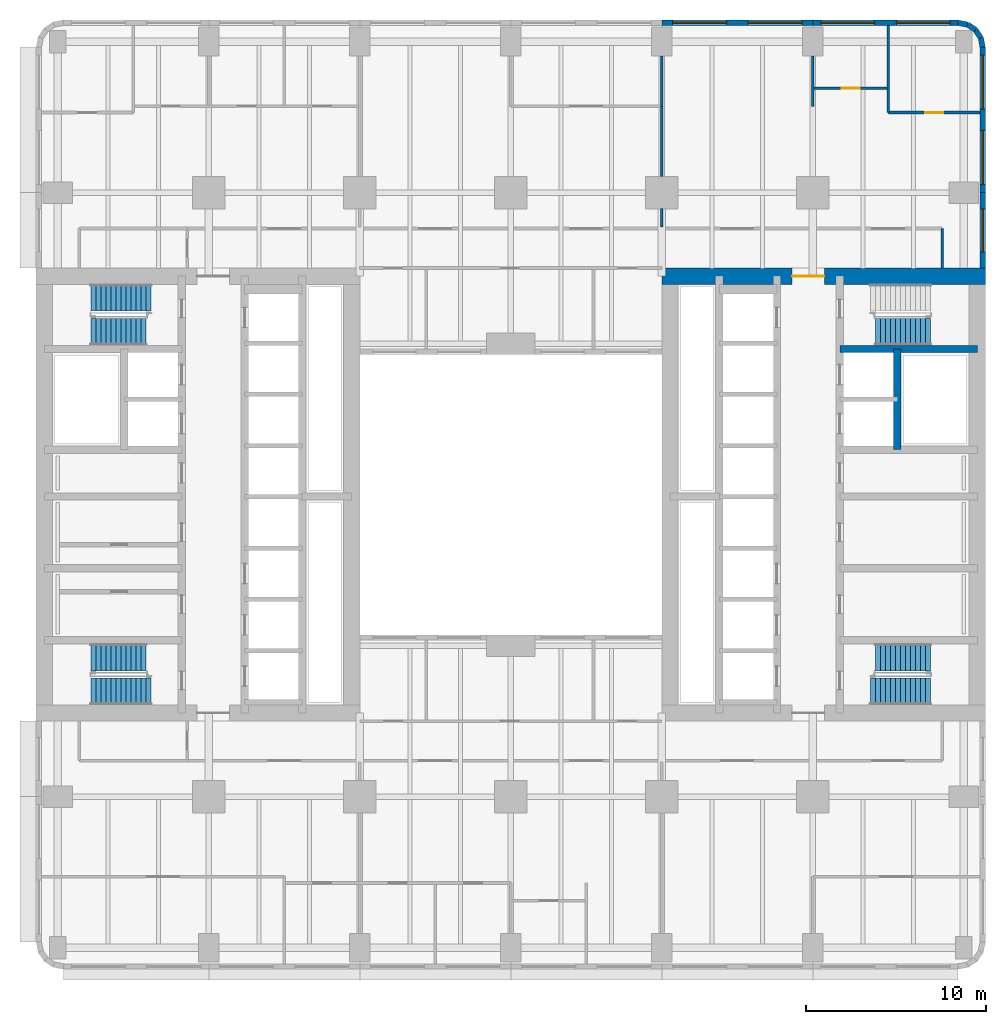
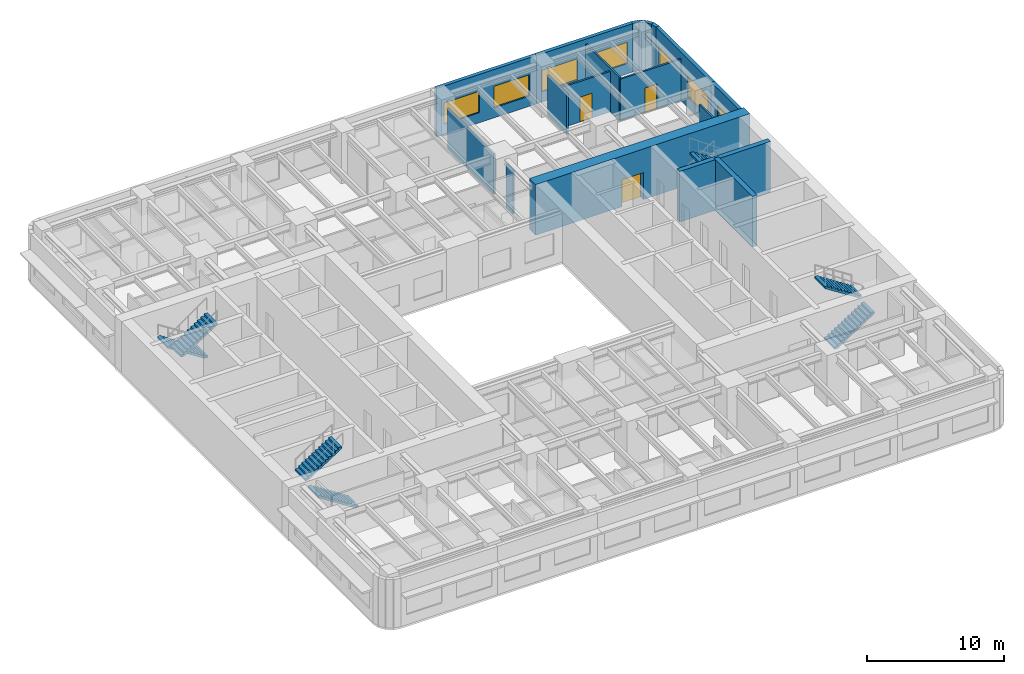
# One storey, part 8 of 13: 19 walls, 7 stair flights, 7 windows, 3 doors, 10 openings, 4 elements without a shape of their own.
"""IFC4 building model written with IfcOpenShell, lengths in metres."""

from ifc_helpers import new_model, si_unit, direction, frame, frame_2d, origin, place, context, subcontext, project, spatial, polyline, rectangle, outline, extrude, material, layer, layer_set, type_object, element, fill, aggregate, save


model = new_model("IFC4")

# Units and contexts
model_context = context("Model", 3, precision=1e-05, world=origin(), true_north=direction((0.0, 1.0)))
body_context = subcontext(model_context, "Body", "Model", "MODEL_VIEW")
ifc_project = project(units=[si_unit("LENGTHUNIT", "METRE"), si_unit("AREAUNIT", "SQUARE_METRE"), si_unit("VOLUMEUNIT", "CUBIC_METRE"), si_unit("PLANEANGLEUNIT", "RADIAN"), si_unit("MASSUNIT", "GRAM", prefix="KILO")], contexts=[model_context])

# Site, building, storey
site_placement = place(None, origin())
site = spatial("IfcSite", under=ifc_project, at=site_placement, CompositionType="ELEMENT")
building_placement = place(site_placement, origin())
building = spatial("IfcBuilding", under=site, at=building_placement, Name="Claustro Exchange Tower", CompositionType="ELEMENT")
storey_placement = place(building_placement, frame((0.0, 0.0, 86.39990234375)))
storey = spatial("IfcBuildingStorey", under=building, at=storey_placement, Name="L19", CompositionType="ELEMENT", Elevation=86.39990234375)

# Wall
ifc_material_1 = material(Name="Gypsum board on steel studs", Category="steel")
ifc_layer_1 = layer(ifc_material_1, 0.14990234375)
ifc_layer_set_1 = layer_set([ifc_layer_1], Name="Gypsum board on steel studs")
wall_type_1 = type_object("IfcWallType", Name="P1 150 plasterboard partition", PredefinedType="PARTITIONING", material=ifc_layer_set_1)
wall_1_placement = place(storey_placement, frame((33.60009765625, 46.798095703125, 0.0), z_axis=(0.0, 0.0, 1.0), x_axis=(0.0, 1.0, 0.0)))
element("IfcWall", 1, at=wall_1_placement, inside=storey, type_object=wall_type_1, Name="Partition P1 L19", PredefinedType="PARTITIONING", context=body_context, shape_type="SweptSolid", body=[
    extrude(rectangle(XDim=2.802978515625, YDim=0.14990234375, at=frame_2d((1.4013671875, 0.0))), origin(), (0.0, 0.0, 1.0), 3.60009765625),
])

# Wall, opening, door
wall_2_placement = place(storey_placement, frame((42.073974609375, 47.800048828125, 0.0), z_axis=(0.0, 0.0, 1.0), x_axis=(1.0, 0.0, 0.0)))
wall_2 = element("IfcWall", 2, at=wall_2_placement, inside=storey, type_object=wall_type_1, Name="Partition P1 L19", PredefinedType="PARTITIONING", context=body_context, shape_type="SweptSolid", body=[
    extrude(rectangle(XDim=4.052001953125, YDim=0.14990234375, at=frame_2d((2.02587890625, 0.0))), origin(), (0.0, 0.0, 1.0), 3.60009765625),
])
opening_1_placement = place(wall_2_placement, frame((1.52587890625, 0.0, 0.0)))
opening_1 = element("IfcOpeningElement", 3, at=opening_1_placement, cuts=wall_2, Name="Opening D1", PredefinedType="OPENING", context=body_context, shape_type="SweptSolid", body=[
    extrude(rectangle(XDim=1.0, YDim=2.199951171875, at=frame_2d((0.5, 1.10009765625))), frame((0.0, 0.0849609375, 0.0), z_axis=(0.0, -1.0, 0.0), x_axis=(1.0, 0.0, 0.0)), (0.0, 0.0, 1.0), 0.169921875),
])
ifc_material_2 = material(Name="Timber door, oak veneer", Category="wood")
door_type_1 = type_object("IfcDoorType", Name="D1 1000 x 2200 single door", OperationType="SINGLE_SWING_LEFT", PredefinedType="DOOR", material=ifc_material_2)
door_1_placement = place(opening_1_placement, origin())
door_1 = element("IfcDoor", 4, at=door_1_placement, inside=storey, type_object=door_type_1, Name="Door D1 L19", OperationType="SINGLE_SWING_LEFT", OverallHeight=2.199951171875, OverallWidth=1.0, PredefinedType="DOOR", context=body_context, shape_type="SweptSolid", body=[
    extrude(rectangle(XDim=1.0, YDim=2.199951171875, at=frame_2d((0.5, 1.10009765625))), frame((0.0, 0.02490234375, 0.0), z_axis=(0.0, -1.0, 0.0), x_axis=(1.0, 0.0, 0.0)), (0.0, 0.0, 1.0), 0.050048828125),
])
fill(opening_1, door_1)

wall_3_placement = place(storey_placement, frame((46.199951171875, 46.449951171875, 0.0), z_axis=(0.0, 0.0, 1.0), x_axis=(1.0, 0.0, 0.0)))
wall_3 = element("IfcWall", 5, at=wall_3_placement, inside=storey, type_object=wall_type_1, Name="Partition P1 L19", PredefinedType="PARTITIONING", context=body_context, shape_type="SweptSolid", body=[
    extrude(rectangle(XDim=5.10205078125, YDim=0.14990234375, at=frame_2d((2.551025390625, 0.0))), origin(), (0.0, 0.0, 1.0), 3.7001953125),
])
opening_2_placement = place(wall_3_placement, frame((2.050048828125, 0.0, 0.0)))
opening_2 = element("IfcOpeningElement", 6, at=opening_2_placement, cuts=wall_3, Name="Opening D1", PredefinedType="OPENING", context=body_context, shape_type="SweptSolid", body=[
    extrude(rectangle(XDim=1.0, YDim=2.199951171875, at=frame_2d((0.5, 1.10009765625))), frame((0.0, 0.0849609375, 0.0), z_axis=(0.0, -1.0, 0.0), x_axis=(1.0, 0.0, 0.0)), (0.0, 0.0, 1.0), 0.169921875),
])
door_2_placement = place(opening_2_placement, origin())
door_2 = element("IfcDoor", 7, at=door_2_placement, inside=storey, type_object=door_type_1, Name="Door D1 L19", OperationType="SINGLE_SWING_LEFT", OverallHeight=2.199951171875, OverallWidth=1.0, PredefinedType="DOOR", context=body_context, shape_type="SweptSolid", body=[
    extrude(rectangle(XDim=1.0, YDim=2.199951171875, at=frame_2d((0.5, 1.10009765625))), frame((0.0, 0.02490234375, 0.0), z_axis=(0.0, -1.0, 0.0), x_axis=(1.0, 0.0, 0.0)), (0.0, 0.0, 1.0), 0.050048828125),
])
fill(opening_2, door_2)

# Walls
wall_4_placement = place(storey_placement, frame((42.0, 46.800048828125, 0.0), z_axis=(0.0, 0.0, 1.0), x_axis=(0.0, 1.0, 0.0)))
element("IfcWall", 8, at=wall_4_placement, inside=storey, type_object=wall_type_1, Name="Partition P1 L19", PredefinedType="PARTITIONING", context=body_context, shape_type="SweptSolid", body=[
    extrude(rectangle(XDim=2.801025390625, YDim=0.14990234375, at=frame_2d((1.400390625, 0.0))), origin(), (0.0, 0.0, 1.0), 3.60009765625),
])
wall_5_placement = place(storey_placement, frame((46.199951171875, 46.449951171875, 0.0), z_axis=(0.0, 0.0, 1.0), x_axis=(0.0, 1.0, 0.0)))
element("IfcWall", 9, at=wall_5_placement, inside=storey, type_object=wall_type_1, Name="Partition P1 L19", PredefinedType="PARTITIONING", context=body_context, shape_type="SweptSolid", body=[
    extrude(rectangle(XDim=4.85205078125, YDim=0.14990234375, at=frame_2d((2.426025390625, 0.0))), origin(), (0.0, 0.0, 1.0), 3.85400390625),
])
wall_6_placement = place(storey_placement, frame((33.60009765625, 40.073974609375, 0.0), z_axis=(0.0, 0.0, 1.0), x_axis=(0.0, 1.0, 0.0)))
element("IfcWall", 10, at=wall_6_placement, inside=storey, type_object=wall_type_1, Name="Partition P1 L19", PredefinedType="PARTITIONING", context=body_context, shape_type="SweptSolid", body=[
    extrude(rectangle(XDim=1.027099609375, YDim=0.14990234375, at=frame_2d((0.513671875, 0.0))), origin(), (0.0, 0.0, 1.0), 3.80419921875),
])
wall_7_placement = place(storey_placement, frame((33.60009765625, 42.89892578125, 0.0), z_axis=(0.0, 0.0, 1.0), x_axis=(0.0, 1.0, 0.0)))
element("IfcWall", 11, at=wall_7_placement, inside=storey, type_object=wall_type_1, Name="Partition P1 L19", PredefinedType="PARTITIONING", context=body_context, shape_type="SweptSolid", body=[
    extrude(rectangle(XDim=3.903076171875, YDim=0.14990234375, at=frame_2d((1.95166015625, 0.0))), origin(), (0.0, 0.0, 1.0), 3.60009765625),
])
wall_8_placement = place(storey_placement, frame((49.199951171875, 37.800048828125, 0.0), z_axis=(0.0, 0.0, 1.0), x_axis=(0.0, 1.0, 0.0)))
element("IfcWall", 12, at=wall_8_placement, inside=storey, type_object=wall_type_1, Name="Partition P1 L19", PredefinedType="PARTITIONING", context=body_context, shape_type="SweptSolid", body=[
    extrude(rectangle(XDim=2.199951171875, YDim=0.14990234375, at=frame_2d((1.10009765625, 0.0))), origin(), (0.0, 0.0, 1.0), 4.300048828125),
])

# Wall, openings, windows
ifc_material_3 = material(Name="Concrete HA-40 (C40/50), precast, white cement, acid-etched", Category="concrete")
ifc_layer_2 = layer(ifc_material_3, 0.300048828125)
ifc_layer_set_2 = layer_set([ifc_layer_2], Name="Concrete HA-40 (C40/50), precast, white cement, acid-etched")
wall_type_2 = type_object("IfcWallType", Name="PC1 300 precast concrete pier panel", PredefinedType="SOLIDWALL", material=ifc_layer_set_2)
wall_9_placement = place(storey_placement, frame((33.60009765625, 51.449951171875, 0.0), z_axis=(0.0, 0.0, 1.0), x_axis=(1.0, 0.0, 0.0)))
wall_9 = element("IfcWall", 13, at=wall_9_placement, inside=storey, type_object=wall_type_2, Name="Precast pier panel PC1 L19", PredefinedType="SOLIDWALL", context=body_context, shape_type="SweptSolid", body=[
    extrude(rectangle(XDim=8.39990234375, YDim=0.300048828125, at=frame_2d((4.199951171875, 0.0))), origin(), (0.0, 0.0, 1.0), 4.300048828125),
])
opening_3_placement = place(wall_9_placement, frame((0.60009765625, 0.0, 0.89990234375)))
opening_3 = element("IfcOpeningElement", 14, at=opening_3_placement, cuts=wall_9, Name="Opening W1", PredefinedType="OPENING", context=body_context, shape_type="SweptSolid", body=[
    extrude(rectangle(XDim=3.0, YDim=1.89990234375, at=frame_2d((1.5, 0.949951171875))), frame((0.0, 0.159912109375, 0.0), z_axis=(0.0, -1.0, 0.0), x_axis=(1.0, 0.0, 0.0)), (0.0, 0.0, 1.0), 0.320068359375),
])
opening_4_placement = place(wall_9_placement, frame((4.800048828125, 0.0, 0.89990234375)))
opening_4 = element("IfcOpeningElement", 15, at=opening_4_placement, cuts=wall_9, Name="Opening W1", PredefinedType="OPENING", context=body_context, shape_type="SweptSolid", body=[
    extrude(rectangle(XDim=3.0, YDim=1.89990234375, at=frame_2d((1.5, 0.949951171875))), frame((0.0, 0.159912109375, 0.0), z_axis=(0.0, -1.0, 0.0), x_axis=(1.0, 0.0, 0.0)), (0.0, 0.0, 1.0), 0.320068359375),
])
ifc_material_4 = material(Name="Aluminium frame, clear double glazing", Category="aluminium")
window_type_1 = type_object("IfcWindowType", Name="W1 3000 x 1900 window", PartitioningType="SINGLE_PANEL", PredefinedType="WINDOW", material=ifc_material_4)
window_1_placement = place(opening_3_placement, origin())
window_1 = element("IfcWindow", 16, at=window_1_placement, inside=storey, type_object=window_type_1, Name="Window W1 L19", OverallHeight=1.89990234375, OverallWidth=3.0, PartitioningType="SINGLE_PANEL", PredefinedType="WINDOW", context=body_context, shape_type="SweptSolid", body=[
    extrude(rectangle(XDim=3.0, YDim=1.89990234375, at=frame_2d((1.5, 0.949951171875))), frame((0.0, 0.030029296875, 0.0), z_axis=(0.0, -1.0, 0.0), x_axis=(1.0, 0.0, 0.0)), (0.0, 0.0, 1.0), 0.06005859375),
])
fill(opening_3, window_1)
window_2_placement = place(opening_4_placement, origin())
window_2 = element("IfcWindow", 17, at=window_2_placement, inside=storey, type_object=window_type_1, Name="Window W1 L19", OverallHeight=1.89990234375, OverallWidth=3.0, PartitioningType="SINGLE_PANEL", PredefinedType="WINDOW", context=body_context, shape_type="SweptSolid", body=[
    extrude(rectangle(XDim=3.0, YDim=1.89990234375, at=frame_2d((1.5, 0.949951171875))), frame((0.0, 0.030029296875, 0.0), z_axis=(0.0, -1.0, 0.0), x_axis=(1.0, 0.0, 0.0)), (0.0, 0.0, 1.0), 0.06005859375),
])
fill(opening_4, window_2)

wall_10_placement = place(storey_placement, frame((42.0, 51.449951171875, 0.0), z_axis=(0.0, 0.0, 1.0), x_axis=(1.0, 0.0, 0.0)))
wall_10 = element("IfcWall", 18, at=wall_10_placement, inside=storey, type_object=wall_type_2, Name="Precast pier panel PC1 L19", PredefinedType="SOLIDWALL", context=body_context, shape_type="SweptSolid", body=[
    extrude(rectangle(XDim=8.085205078125, YDim=0.300048828125, at=frame_2d((4.04248046875, 0.0))), origin(), (0.0, 0.0, 1.0), 4.300048828125),
])
opening_5_placement = place(wall_10_placement, frame((0.442626953125, 0.0, 0.89990234375)))
opening_5 = element("IfcOpeningElement", 19, at=opening_5_placement, cuts=wall_10, Name="Opening W1", PredefinedType="OPENING", context=body_context, shape_type="SweptSolid", body=[
    extrude(rectangle(XDim=3.0, YDim=1.89990234375, at=frame_2d((1.5, 0.949951171875))), frame((0.0, 0.159912109375, 0.0), z_axis=(0.0, -1.0, 0.0), x_axis=(1.0, 0.0, 0.0)), (0.0, 0.0, 1.0), 0.320068359375),
])
opening_6_placement = place(wall_10_placement, frame((4.642578125, 0.0, 0.89990234375)))
opening_6 = element("IfcOpeningElement", 20, at=opening_6_placement, cuts=wall_10, Name="Opening W1", PredefinedType="OPENING", context=body_context, shape_type="SweptSolid", body=[
    extrude(rectangle(XDim=3.0, YDim=1.89990234375, at=frame_2d((1.5, 0.949951171875))), frame((0.0, 0.159912109375, 0.0), z_axis=(0.0, -1.0, 0.0), x_axis=(1.0, 0.0, 0.0)), (0.0, 0.0, 1.0), 0.320068359375),
])
window_3_placement = place(opening_5_placement, origin())
window_3 = element("IfcWindow", 21, at=window_3_placement, inside=storey, type_object=window_type_1, Name="Window W1 L19", OverallHeight=1.89990234375, OverallWidth=3.0, PartitioningType="SINGLE_PANEL", PredefinedType="WINDOW", context=body_context, shape_type="SweptSolid", body=[
    extrude(rectangle(XDim=3.0, YDim=1.89990234375, at=frame_2d((1.5, 0.949951171875))), frame((0.0, 0.030029296875, 0.0), z_axis=(0.0, -1.0, 0.0), x_axis=(1.0, 0.0, 0.0)), (0.0, 0.0, 1.0), 0.06005859375),
])
fill(opening_5, window_3)
window_4_placement = place(opening_6_placement, origin())
window_4 = element("IfcWindow", 22, at=window_4_placement, inside=storey, type_object=window_type_1, Name="Window W1 L19", OverallHeight=1.89990234375, OverallWidth=3.0, PartitioningType="SINGLE_PANEL", PredefinedType="WINDOW", context=body_context, shape_type="SweptSolid", body=[
    extrude(rectangle(XDim=3.0, YDim=1.89990234375, at=frame_2d((1.5, 0.949951171875))), frame((0.0, 0.030029296875, 0.0), z_axis=(0.0, -1.0, 0.0), x_axis=(1.0, 0.0, 0.0)), (0.0, 0.0, 1.0), 0.06005859375),
])
fill(opening_6, window_4)

# Walls
wall_11_placement = place(storey_placement, frame((50.085205078125, 51.449951171875, 0.0), z_axis=(0.0, 0.0, 1.0), x_axis=(0.980788534345, -0.195073962632, 0.0)))
element("IfcWall", 23, at=wall_11_placement, inside=storey, type_object=wall_type_2, Name="Precast pier panel PC1 L19", PredefinedType="SOLIDWALL", context=body_context, shape_type="SweptSolid", body=[
    extrude(rectangle(XDim=0.540771484375, YDim=0.300048828125, at=frame_2d((0.2705078125, 0.0))), origin(), (0.0, 0.0, 1.0), 4.300048828125),
])
for number, where, z_axis, x_axis, name in (
    (24, (50.615478515625, 51.344482421875, 0.0), (0.0, 0.0, 1.0), (0.831478144188, -0.555557463938, 0.0), "Precast pier panel PC1 L19"),
    (25, (51.052490234375, 51.052490234375, 0.0), (0.0, 0.0, 1.0), (0.555557463938, -0.831478144188, 0.0), "Precast pier panel PC1 L19"),
):
    element("IfcWall", number, at=place(storey_placement, frame(where, z_axis=z_axis, x_axis=x_axis)), inside=storey, type_object=wall_type_2, Name=name, PredefinedType="SOLIDWALL", context=body_context, shape_type="SweptSolid", body=[
        extrude(rectangle(XDim=0.525634765625, YDim=0.300048828125, at=frame_2d((0.2626953125, 0.0))), origin(), (0.0, 0.0, 1.0), 4.300048828125),
    ])
wall_12_placement = place(storey_placement, frame((51.344482421875, 50.615478515625, 0.0), z_axis=(0.0, 0.0, 1.0), x_axis=(0.195073962632, -0.980788534345, 0.0)))
element("IfcWall", 26, at=wall_12_placement, inside=storey, type_object=wall_type_2, Name="Precast pier panel PC1 L19", PredefinedType="SOLIDWALL", context=body_context, shape_type="SweptSolid", body=[
    extrude(rectangle(XDim=0.540771484375, YDim=0.300048828125, at=frame_2d((0.2705078125, 0.0))), origin(), (0.0, 0.0, 1.0), 4.300048828125),
])

# Wall, openings, windows
wall_13_placement = place(storey_placement, frame((51.449951171875, 50.085205078125, 0.0), z_axis=(0.0, 0.0, 1.0), x_axis=(0.0, -1.0, 0.0)))
wall_13 = element("IfcWall", 27, at=wall_13_placement, inside=storey, type_object=wall_type_2, Name="Precast pier panel PC1 L19", PredefinedType="SOLIDWALL", context=body_context, shape_type="SweptSolid", body=[
    extrude(rectangle(XDim=8.085205078125, YDim=0.300048828125, at=frame_2d((4.04248046875, 0.0))), origin(), (0.0, 0.0, 1.0), 4.300048828125),
])
opening_7_placement = place(wall_13_placement, frame((0.442626953125, 0.0, 0.89990234375)))
opening_7 = element("IfcOpeningElement", 28, at=opening_7_placement, cuts=wall_13, Name="Opening W1", PredefinedType="OPENING", context=body_context, shape_type="SweptSolid", body=[
    extrude(rectangle(XDim=3.0, YDim=1.89990234375, at=frame_2d((1.5, 0.949951171875))), frame((0.0, 0.159912109375, 0.0), z_axis=(0.0, -1.0, 0.0), x_axis=(1.0, 0.0, 0.0)), (0.0, 0.0, 1.0), 0.320068359375),
])
opening_8_placement = place(wall_13_placement, frame((4.642578125, 0.0, 0.89990234375)))
opening_8 = element("IfcOpeningElement", 29, at=opening_8_placement, cuts=wall_13, Name="Opening W1", PredefinedType="OPENING", context=body_context, shape_type="SweptSolid", body=[
    extrude(rectangle(XDim=3.0, YDim=1.89990234375, at=frame_2d((1.5, 0.949951171875))), frame((0.0, 0.159912109375, 0.0), z_axis=(0.0, -1.0, 0.0), x_axis=(1.0, 0.0, 0.0)), (0.0, 0.0, 1.0), 0.320068359375),
])
window_5_placement = place(opening_7_placement, origin())
window_5 = element("IfcWindow", 30, at=window_5_placement, inside=storey, type_object=window_type_1, Name="Window W1 L19", OverallHeight=1.89990234375, OverallWidth=3.0, PartitioningType="SINGLE_PANEL", PredefinedType="WINDOW", context=body_context, shape_type="SweptSolid", body=[
    extrude(rectangle(XDim=3.0, YDim=1.89990234375, at=frame_2d((1.5, 0.949951171875))), frame((0.0, 0.030029296875, 0.0), z_axis=(0.0, -1.0, 0.0), x_axis=(1.0, 0.0, 0.0)), (0.0, 0.0, 1.0), 0.06005859375),
])
fill(opening_7, window_5)
window_6_placement = place(opening_8_placement, origin())
window_6 = element("IfcWindow", 31, at=window_6_placement, inside=storey, type_object=window_type_1, Name="Window W1 L19", OverallHeight=1.89990234375, OverallWidth=3.0, PartitioningType="SINGLE_PANEL", PredefinedType="WINDOW", context=body_context, shape_type="SweptSolid", body=[
    extrude(rectangle(XDim=3.0, YDim=1.89990234375, at=frame_2d((1.5, 0.949951171875))), frame((0.0, 0.030029296875, 0.0), z_axis=(0.0, -1.0, 0.0), x_axis=(1.0, 0.0, 0.0)), (0.0, 0.0, 1.0), 0.06005859375),
])
fill(opening_8, window_6)

# Wall, opening, window
wall_14_placement = place(storey_placement, frame((51.449951171875, 42.0, 0.0), z_axis=(0.0, 0.0, 1.0), x_axis=(0.0, -1.0, 0.0)))
wall_14 = element("IfcWall", 32, at=wall_14_placement, inside=storey, type_object=wall_type_2, Name="Precast pier panel PC1 L19", PredefinedType="SOLIDWALL", context=body_context, shape_type="SweptSolid", body=[
    extrude(rectangle(XDim=4.199951171875, YDim=0.300048828125, at=frame_2d((2.10009765625, 0.0))), origin(), (0.0, 0.0, 1.0), 4.300048828125),
])
opening_9_placement = place(wall_14_placement, frame((0.89990234375, 0.0, 0.89990234375)))
opening_9 = element("IfcOpeningElement", 33, at=opening_9_placement, cuts=wall_14, Name="Opening W2", PredefinedType="OPENING", context=body_context, shape_type="SweptSolid", body=[
    extrude(rectangle(XDim=2.39990234375, YDim=1.89990234375, at=frame_2d((1.199951171875, 0.949951171875))), frame((0.0, 0.159912109375, 0.0), z_axis=(0.0, -1.0, 0.0), x_axis=(1.0, 0.0, 0.0)), (0.0, 0.0, 1.0), 0.320068359375),
])
ifc_material_5 = material(Name="Aluminium frame, clear double glazing", Category="aluminium")
window_type_2 = type_object("IfcWindowType", Name="W2 2400 x 1900 window", PartitioningType="SINGLE_PANEL", PredefinedType="WINDOW", material=ifc_material_5)
window_7_placement = place(opening_9_placement, origin())
window_7 = element("IfcWindow", 34, at=window_7_placement, inside=storey, type_object=window_type_2, Name="Window W2 L19", OverallHeight=1.89990234375, OverallWidth=2.39990234375, PartitioningType="SINGLE_PANEL", PredefinedType="WINDOW", context=body_context, shape_type="SweptSolid", body=[
    extrude(rectangle(XDim=2.39990234375, YDim=1.89990234375, at=frame_2d((1.199951171875, 0.949951171875))), frame((0.0, 0.030029296875, 0.0), z_axis=(0.0, -1.0, 0.0), x_axis=(1.0, 0.0, 0.0)), (0.0, 0.0, 1.0), 0.06005859375),
])
fill(opening_9, window_7)

# Wall, opening, door
ifc_material_6 = material(Name="Concrete HA-70 (C70/85)", Category="concrete")
ifc_layer_3 = layer(ifc_material_6, 0.89990234375)
ifc_layer_set_3 = layer_set([ifc_layer_3], Name="Concrete HA-70 (C70/85)")
wall_type_3 = type_object("IfcWallType", Name="SW1 900 core shear wall", PredefinedType="SHEAR", material=ifc_layer_set_3)
wall_15_placement = place(storey_placement, frame((33.60009765625, 37.35009765625, 0.0), z_axis=(0.0, 0.0, 1.0), x_axis=(1.0, 0.0, 0.0)))
wall_15 = element("IfcWall", 35, at=wall_15_placement, inside=storey, type_object=wall_type_3, Name="Core wall SW1 E core N face L19", PredefinedType="SHEAR", context=body_context, shape_type="SweptSolid", body=[
    extrude(rectangle(XDim=18.0, YDim=0.89990234375, at=frame_2d((9.0, 0.0))), origin(), (0.0, 0.0, 1.0), 4.5),
])
opening_10_placement = place(wall_15_placement, frame((7.25, 0.0, 0.0)))
opening_10 = element("IfcOpeningElement", 36, at=opening_10_placement, cuts=wall_15, Name="Opening D3", PredefinedType="OPENING", context=body_context, shape_type="SweptSolid", body=[
    extrude(rectangle(XDim=1.800048828125, YDim=2.39990234375, at=frame_2d((0.89990234375, 1.199951171875))), frame((0.0, 0.4599609375, 0.0), z_axis=(0.0, -1.0, 0.0), x_axis=(1.0, 0.0, 0.0)), (0.0, 0.0, 1.0), 0.919921875),
])
ifc_material_7 = material(Name="Steel fire door, painted", Category="steel")
door_type_2 = type_object("IfcDoorType", Name="D3 1800 x 2400 fire-rated lobby double door", OperationType="DOUBLE_DOOR_SINGLE_SWING", PredefinedType="DOOR", material=ifc_material_7)
door_3_placement = place(opening_10_placement, frame((1.800048828125, 0.0, 0.0), z_axis=(0.0, 0.0, 1.0), x_axis=(-1.0, 0.0, 0.0)))
door_3 = element("IfcDoor", 37, at=door_3_placement, inside=storey, type_object=door_type_2, Name="Lift lobby door D3 L19", OperationType="DOUBLE_DOOR_SINGLE_SWING", OverallHeight=2.39990234375, OverallWidth=1.800048828125, PredefinedType="DOOR", context=body_context, shape_type="SweptSolid", body=[
    extrude(rectangle(XDim=1.800048828125, YDim=2.39990234375, at=frame_2d((0.89990234375, 1.199951171875))), frame((0.0, 0.02490234375, 0.0), z_axis=(0.0, -1.0, 0.0), x_axis=(1.0, 0.0, 0.0)), (0.0, 0.0, 1.0), 0.050048828125),
])
fill(opening_10, door_3)

# Walls
ifc_material_8 = material(Name="Concrete HA-50 (C50/60)", Category="concrete")
ifc_layer_4 = layer(ifc_material_8, 0.39990234375)
ifc_layer_set_4 = layer_set([ifc_layer_4], Name="Concrete HA-50 (C50/60)")
wall_type_4 = type_object("IfcWallType", Name="SW4 400 internal core wall", PredefinedType="SHEAR", material=ifc_layer_set_4)
wall_16_placement = place(storey_placement, frame((51.14990234375, 33.300048828125, 0.0), z_axis=(0.0, 0.0, 1.0), x_axis=(-1.0, 0.0, 0.0)))
element("IfcWall", 38, at=wall_16_placement, inside=storey, type_object=wall_type_4, Name="Internal core wall SW4 E core L19", PredefinedType="SHEAR", context=body_context, shape_type="SweptSolid", body=[
    extrude(rectangle(XDim=7.64990234375, YDim=0.39990234375, at=frame_2d((3.824951171875, 0.0))), origin(), (0.0, 0.0, 1.0), 4.5),
])
wall_17_placement = place(storey_placement, frame((46.699951171875, 27.699951171875, 0.0), z_axis=(0.0, 0.0, 1.0), x_axis=(0.0, 1.0, 0.0)))
element("IfcWall", 39, at=wall_17_placement, inside=storey, type_object=wall_type_4, Name="Internal core wall SW4 E core L19", PredefinedType="SHEAR", context=body_context, shape_type="SweptSolid", body=[
    extrude(rectangle(XDim=5.60009765625, YDim=0.39990234375, at=frame_2d((2.800048828125, 0.0))), origin(), (0.0, 0.0, 1.0), 4.5),
])

# Stair, stair flight
ifc_material_9 = material(Name="Concrete HA-30 (C30/37), precast", Category="concrete")
stair_type = type_object("IfcStairType", Name="ST2 half-turn stair, 25 risers of 180", PredefinedType="HALF_TURN_STAIR", material=ifc_material_9)
stair_1_placement = place(storey_placement, origin())
stair_1 = element("IfcStair", 40, at=stair_1_placement, inside=storey, type_object=stair_type, Name="Stair STWA L19", PredefinedType="HALF_TURN_STAIR")
ifc_material_10 = material(Name="Concrete HA-30 (C30/37), precast", Category="concrete")
stair_flight_type_1 = type_object("IfcStairFlightType", Name="SF12B straight flight, 12 risers of 180, 1500 wide", PredefinedType="STRAIGHT", material=ifc_material_10)
stair_flight_1_placement = place(storey_placement, frame((1.840087890625, 16.14990234375, 2.340087890625), z_axis=(0.0, 0.0, 1.0), x_axis=(1.0, 0.0, 0.0)))
stair_flight_1 = element("IfcStairFlight", 41, at=stair_flight_1_placement, type_object=stair_flight_type_1, Name="STWA flight 2", NumberOfRisers=12, NumberOfTreads=11, PredefinedType="STRAIGHT", RiserHeight=0.18, TreadLength=0.28, context=body_context, shape_type="SweptSolid", body=[
    extrude(outline(polyline([(0.0, 0.0), (0.0, 0.179931640625), (0.280029296875, 0.179931640625), (0.280029296875, 0.360107421875), (0.56005859375, 0.360107421875), (0.56005859375, 0.5400390625), (0.840087890625, 0.5400390625), (0.840087890625, 0.719970703125), (1.1201171875, 0.719970703125), (1.1201171875, 0.89990234375), (1.39990234375, 0.89990234375), (1.39990234375, 1.080078125), (1.679931640625, 1.080078125), (1.679931640625, 1.260009765625), (1.9599609375, 1.260009765625), (1.9599609375, 1.43994140625), (2.239990234375, 1.43994140625), (2.239990234375, 1.6201171875), (2.52001953125, 1.6201171875), (2.52001953125, 1.800048828125), (2.800048828125, 1.800048828125), (2.800048828125, 1.97998046875), (3.080078125, 1.97998046875), (3.080078125, 2.159912109375), (3.080078125, 1.8017578125), (0.277099609375, 0.0), (0.0, 0.0)])), frame((0.0, 0.75, 0.0), z_axis=(0.0, -1.0, 0.0), x_axis=(1.0, 0.0, 0.0)), (0.0, 0.0, 1.0), 1.5),
])

stair_2_placement = place(storey_placement, origin())
stair_2 = element("IfcStair", 42, at=stair_2_placement, inside=storey, type_object=stair_type, Name="Stair STWB L19", PredefinedType="HALF_TURN_STAIR")
stair_flight_2_placement = place(storey_placement, frame((1.840087890625, 34.25, 2.340087890625), z_axis=(0.0, 0.0, 1.0), x_axis=(1.0, 0.0, 0.0)))
stair_flight_2 = element("IfcStairFlight", 43, at=stair_flight_2_placement, type_object=stair_flight_type_1, Name="STWB flight 2", NumberOfRisers=12, NumberOfTreads=11, PredefinedType="STRAIGHT", RiserHeight=0.18, TreadLength=0.28, context=body_context, shape_type="SweptSolid", body=[
    extrude(outline(polyline([(0.0, 0.0), (0.0, 0.179931640625), (0.280029296875, 0.179931640625), (0.280029296875, 0.360107421875), (0.56005859375, 0.360107421875), (0.56005859375, 0.5400390625), (0.840087890625, 0.5400390625), (0.840087890625, 0.719970703125), (1.1201171875, 0.719970703125), (1.1201171875, 0.89990234375), (1.39990234375, 0.89990234375), (1.39990234375, 1.080078125), (1.679931640625, 1.080078125), (1.679931640625, 1.260009765625), (1.9599609375, 1.260009765625), (1.9599609375, 1.43994140625), (2.239990234375, 1.43994140625), (2.239990234375, 1.6201171875), (2.52001953125, 1.6201171875), (2.52001953125, 1.800048828125), (2.800048828125, 1.800048828125), (2.800048828125, 1.97998046875), (3.080078125, 1.97998046875), (3.080078125, 2.159912109375), (3.080078125, 1.8017578125), (0.277099609375, 0.0), (0.0, 0.0)])), frame((0.0, 0.75, 0.0), z_axis=(0.0, -1.0, 0.0), x_axis=(1.0, 0.0, 0.0)), (0.0, 0.0, 1.0), 1.5),
])

stair_3_placement = place(storey_placement, origin())
stair_3 = element("IfcStair", 44, at=stair_3_placement, inside=storey, type_object=stair_type, Name="Stair STEA L19", PredefinedType="HALF_TURN_STAIR")
stair_flight_3_placement = place(storey_placement, frame((48.56005859375, 16.14990234375, 2.340087890625), z_axis=(0.0, 0.0, 1.0), x_axis=(-1.0, 0.0, 0.0)))
stair_flight_3 = element("IfcStairFlight", 45, at=stair_flight_3_placement, type_object=stair_flight_type_1, Name="STEA flight 2", NumberOfRisers=12, NumberOfTreads=11, PredefinedType="STRAIGHT", RiserHeight=0.18, TreadLength=0.28, context=body_context, shape_type="SweptSolid", body=[
    extrude(outline(polyline([(0.0, 0.0), (0.0, 0.179931640625), (0.280029296875, 0.179931640625), (0.280029296875, 0.360107421875), (0.56005859375, 0.360107421875), (0.56005859375, 0.5400390625), (0.840087890625, 0.5400390625), (0.840087890625, 0.719970703125), (1.1201171875, 0.719970703125), (1.1201171875, 0.89990234375), (1.39990234375, 0.89990234375), (1.39990234375, 1.080078125), (1.679931640625, 1.080078125), (1.679931640625, 1.260009765625), (1.9599609375, 1.260009765625), (1.9599609375, 1.43994140625), (2.239990234375, 1.43994140625), (2.239990234375, 1.6201171875), (2.52001953125, 1.6201171875), (2.52001953125, 1.800048828125), (2.800048828125, 1.800048828125), (2.800048828125, 1.97998046875), (3.080078125, 1.97998046875), (3.080078125, 2.159912109375), (3.080078125, 1.8017578125), (0.277099609375, 0.0), (0.0, 0.0)])), frame((0.0, 0.75, 0.0), z_axis=(0.0, -1.0, 0.0), x_axis=(1.0, 0.0, 0.0)), (0.0, 0.0, 1.0), 1.5),
])

stair_4_placement = place(storey_placement, origin())
stair_4 = element("IfcStair", 46, at=stair_4_placement, inside=storey, type_object=stair_type, Name="Stair STEB L19", PredefinedType="HALF_TURN_STAIR")
stair_flight_4_placement = place(storey_placement, frame((48.56005859375, 34.25, 2.340087890625), z_axis=(0.0, 0.0, 1.0), x_axis=(-1.0, 0.0, 0.0)))
stair_flight_4 = element("IfcStairFlight", 47, at=stair_flight_4_placement, type_object=stair_flight_type_1, Name="STEB flight 2", NumberOfRisers=12, NumberOfTreads=11, PredefinedType="STRAIGHT", RiserHeight=0.18, TreadLength=0.28, context=body_context, shape_type="SweptSolid", body=[
    extrude(outline(polyline([(0.0, 0.0), (0.0, 0.179931640625), (0.280029296875, 0.179931640625), (0.280029296875, 0.360107421875), (0.56005859375, 0.360107421875), (0.56005859375, 0.5400390625), (0.840087890625, 0.5400390625), (0.840087890625, 0.719970703125), (1.1201171875, 0.719970703125), (1.1201171875, 0.89990234375), (1.39990234375, 0.89990234375), (1.39990234375, 1.080078125), (1.679931640625, 1.080078125), (1.679931640625, 1.260009765625), (1.9599609375, 1.260009765625), (1.9599609375, 1.43994140625), (2.239990234375, 1.43994140625), (2.239990234375, 1.6201171875), (2.52001953125, 1.6201171875), (2.52001953125, 1.800048828125), (2.800048828125, 1.800048828125), (2.800048828125, 1.97998046875), (3.080078125, 1.97998046875), (3.080078125, 2.159912109375), (3.080078125, 1.8017578125), (0.277099609375, 0.0), (0.0, 0.0)])), frame((0.0, 0.75, 0.0), z_axis=(0.0, -1.0, 0.0), x_axis=(1.0, 0.0, 0.0)), (0.0, 0.0, 1.0), 1.5),
])
aggregate(stair_4, [stair_flight_4])

# Stair flight
ifc_material_11 = material(Name="Concrete HA-30 (C30/37), precast", Category="concrete")
stair_flight_type_2 = type_object("IfcStairFlightType", Name="SF13 straight flight, 13 risers of 180, 1500 wide", PredefinedType="STRAIGHT", material=ifc_material_11)
stair_flight_5_placement = place(storey_placement, frame((5.199951171875, 14.25, 0.0), z_axis=(0.0, 0.0, 1.0), x_axis=(-1.0, 0.0, 0.0)))
stair_flight_5 = element("IfcStairFlight", 48, at=stair_flight_5_placement, type_object=stair_flight_type_2, Name="STWA flight 1", NumberOfRisers=13, NumberOfTreads=12, PredefinedType="STRAIGHT", RiserHeight=0.18, TreadLength=0.28, context=body_context, shape_type="SweptSolid", body=[
    extrude(outline(polyline([(0.0, 0.0), (0.0, 0.179931640625), (0.280029296875, 0.179931640625), (0.280029296875, 0.360107421875), (0.56005859375, 0.360107421875), (0.56005859375, 0.5400390625), (0.840087890625, 0.5400390625), (0.840087890625, 0.719970703125), (1.1201171875, 0.719970703125), (1.1201171875, 0.89990234375), (1.39990234375, 0.89990234375), (1.39990234375, 1.080078125), (1.679931640625, 1.080078125), (1.679931640625, 1.260009765625), (1.9599609375, 1.260009765625), (1.9599609375, 1.43994140625), (2.239990234375, 1.43994140625), (2.239990234375, 1.6201171875), (2.52001953125, 1.6201171875), (2.52001953125, 1.800048828125), (2.800048828125, 1.800048828125), (2.800048828125, 1.97998046875), (3.080078125, 1.97998046875), (3.080078125, 2.159912109375), (3.360107421875, 2.159912109375), (3.360107421875, 2.340087890625), (3.360107421875, 1.981689453125), (0.277099609375, 0.0), (0.0, 0.0)])), frame((0.0, 0.75, 0.0), z_axis=(0.0, -1.0, 0.0), x_axis=(1.0, 0.0, 0.0)), (0.0, 0.0, 1.0), 1.5),
])

aggregate(stair_1, [stair_flight_5, stair_flight_1])

stair_flight_6_placement = place(storey_placement, frame((5.199951171875, 36.14990234375, 0.0), z_axis=(0.0, 0.0, 1.0), x_axis=(-1.0, 0.0, 0.0)))
stair_flight_6 = element("IfcStairFlight", 49, at=stair_flight_6_placement, type_object=stair_flight_type_2, Name="STWB flight 1", NumberOfRisers=13, NumberOfTreads=12, PredefinedType="STRAIGHT", RiserHeight=0.18, TreadLength=0.28, context=body_context, shape_type="SweptSolid", body=[
    extrude(outline(polyline([(0.0, 0.0), (0.0, 0.179931640625), (0.280029296875, 0.179931640625), (0.280029296875, 0.360107421875), (0.56005859375, 0.360107421875), (0.56005859375, 0.5400390625), (0.840087890625, 0.5400390625), (0.840087890625, 0.719970703125), (1.1201171875, 0.719970703125), (1.1201171875, 0.89990234375), (1.39990234375, 0.89990234375), (1.39990234375, 1.080078125), (1.679931640625, 1.080078125), (1.679931640625, 1.260009765625), (1.9599609375, 1.260009765625), (1.9599609375, 1.43994140625), (2.239990234375, 1.43994140625), (2.239990234375, 1.6201171875), (2.52001953125, 1.6201171875), (2.52001953125, 1.800048828125), (2.800048828125, 1.800048828125), (2.800048828125, 1.97998046875), (3.080078125, 1.97998046875), (3.080078125, 2.159912109375), (3.360107421875, 2.159912109375), (3.360107421875, 2.340087890625), (3.360107421875, 1.981689453125), (0.277099609375, 0.0), (0.0, 0.0)])), frame((0.0, 0.75, 0.0), z_axis=(0.0, -1.0, 0.0), x_axis=(1.0, 0.0, 0.0)), (0.0, 0.0, 1.0), 1.5),
])

aggregate(stair_2, [stair_flight_6, stair_flight_2])

stair_flight_7_placement = place(storey_placement, frame((45.199951171875, 14.25, 0.0), z_axis=(0.0, 0.0, 1.0), x_axis=(1.0, 0.0, 0.0)))
stair_flight_7 = element("IfcStairFlight", 50, at=stair_flight_7_placement, type_object=stair_flight_type_2, Name="STEA flight 1", NumberOfRisers=13, NumberOfTreads=12, PredefinedType="STRAIGHT", RiserHeight=0.18, TreadLength=0.28, context=body_context, shape_type="SweptSolid", body=[
    extrude(outline(polyline([(0.0, 0.0), (0.0, 0.179931640625), (0.280029296875, 0.179931640625), (0.280029296875, 0.360107421875), (0.56005859375, 0.360107421875), (0.56005859375, 0.5400390625), (0.840087890625, 0.5400390625), (0.840087890625, 0.719970703125), (1.1201171875, 0.719970703125), (1.1201171875, 0.89990234375), (1.39990234375, 0.89990234375), (1.39990234375, 1.080078125), (1.679931640625, 1.080078125), (1.679931640625, 1.260009765625), (1.9599609375, 1.260009765625), (1.9599609375, 1.43994140625), (2.239990234375, 1.43994140625), (2.239990234375, 1.6201171875), (2.52001953125, 1.6201171875), (2.52001953125, 1.800048828125), (2.800048828125, 1.800048828125), (2.800048828125, 1.97998046875), (3.080078125, 1.97998046875), (3.080078125, 2.159912109375), (3.360107421875, 2.159912109375), (3.360107421875, 2.340087890625), (3.360107421875, 1.981689453125), (0.277099609375, 0.0), (0.0, 0.0)])), frame((0.0, 0.75, 0.0), z_axis=(0.0, -1.0, 0.0), x_axis=(1.0, 0.0, 0.0)), (0.0, 0.0, 1.0), 1.5),
])

aggregate(stair_3, [stair_flight_7, stair_flight_3])

save(model, "model.ifc")
